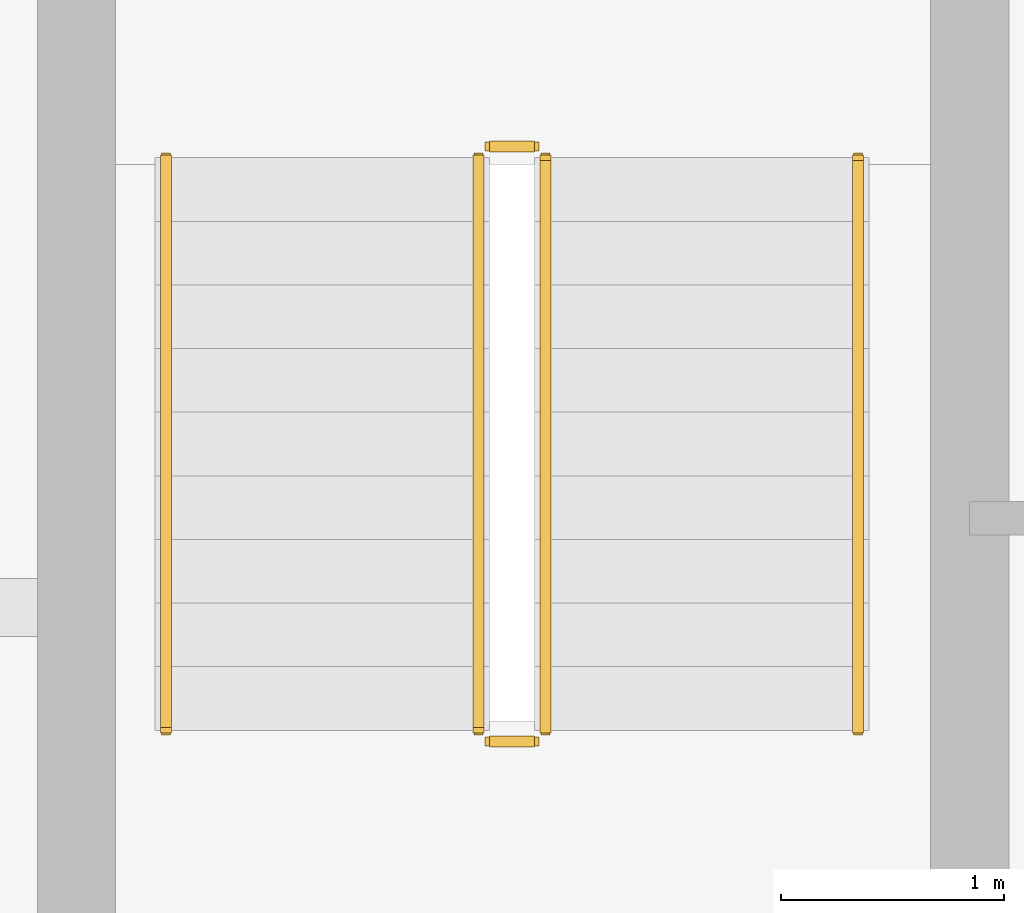
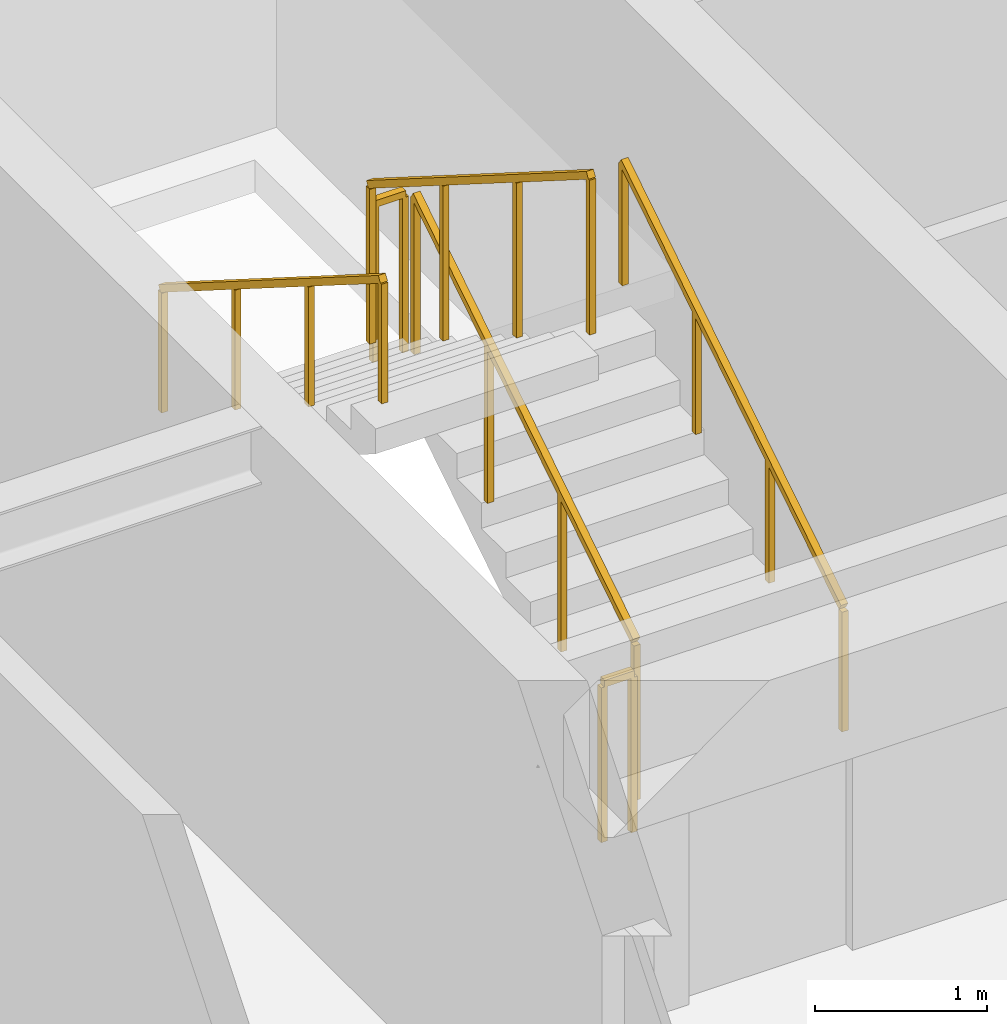
# One storey, part 20 of 22: 6 railings.
"""IFC4 building model written with IfcOpenShell, lengths in metres."""

from ifc_helpers import new_model, si_unit, direction, frame, origin, origin_2d, place, context, subcontext, project, spatial, rectangle, extrude, material, type_object, element, save


model = new_model("IFC4")

# Units and contexts
model_context = context("Model", 3, precision=1e-05, world=origin(), true_north=direction((0.0, 1.0)))
body_context = subcontext(model_context, "Body", "Model", "MODEL_VIEW")
ifc_project = project(units=[si_unit("LENGTHUNIT", "METRE"), si_unit("AREAUNIT", "SQUARE_METRE"), si_unit("VOLUMEUNIT", "CUBIC_METRE"), si_unit("PLANEANGLEUNIT", "RADIAN"), si_unit("MASSUNIT", "GRAM", prefix="KILO")], contexts=[model_context])

# Site, building, storey
site_placement = place(None, origin())
site = spatial("IfcSite", under=ifc_project, at=site_placement, CompositionType="ELEMENT")
building_placement = place(site_placement, origin())
building = spatial("IfcBuilding", under=site, at=building_placement, Name="Sarneth Arch Tower", CompositionType="ELEMENT")
storey_placement = place(building_placement, frame((0.0, 0.0, 287.39990234375)))
storey = spatial("IfcBuildingStorey", under=building, at=storey_placement, Name="L74", CompositionType="ELEMENT", Elevation=287.39990234375)

# Railings
ifc_material_1 = material(Name="Brushed Stainless Steel 304 tubular handrail", Category="steel")
railing_type_1 = type_object("IfcRailingType", Name="RAIL-HANDRAIL-900", PredefinedType="HANDRAIL", material=ifc_material_1)
railing_1_placement = place(storey_placement, frame((40.5, 41.449951171875, 0.18017578125)))
element("IfcRailing", 1, at=railing_1_placement, inside=storey, type_object=railing_type_1, Name="L74 ST-1 stair handrail 1", PredefinedType="HANDRAIL", context=body_context, shape_type="SweptSolid", body=[
    extrude(rectangle(XDim=0.048095703125, YDim=0.048095703125, at=origin_2d()), frame((0.0, 0.0, 0.8759765625), z_axis=(0.0, 0.845502289212, 0.533971796014), x_axis=(-1.0, 0.0, 0.0)), (0.0, 0.0, 1.0), 3.03369140625),
    extrude(rectangle(XDim=0.0419921875, YDim=0.0419921875, at=origin_2d()), origin(), (0.0, 0.0, 1.0), 0.851806640625),
    extrude(rectangle(XDim=0.0419921875, YDim=0.0419921875, at=origin_2d()), frame((0.0, 0.85498046875, 0.5400390625)), (0.0, 0.0, 1.0), 0.851806640625),
    extrude(rectangle(XDim=0.0419921875, YDim=0.0419921875, at=origin_2d()), frame((0.0, 1.7099609375, 1.079833984375)), (0.0, 0.0, 1.0), 0.851806640625),
    extrude(rectangle(XDim=0.0419921875, YDim=0.0419921875, at=origin_2d()), frame((0.0, 2.56494140625, 1.619873046875)), (0.0, 0.0, 1.0), 0.851806640625),
])
railing_2_placement = place(storey_placement, frame((37.39990234375, 44.014892578125, 1.97998046875)))
element("IfcRailing", 2, at=railing_2_placement, inside=storey, type_object=railing_type_1, Name="L74 ST-1 stair handrail 2", PredefinedType="HANDRAIL", context=body_context, shape_type="SweptSolid", body=[
    extrude(rectangle(XDim=0.048095703125, YDim=0.048095703125, at=origin_2d()), frame((0.0, 0.0, 0.8759765625), z_axis=(0.0, -0.845465955043, 0.534029323973), x_axis=(1.0, 0.0, 0.0)), (0.0, 0.0, 1.0), 3.03369140625),
    extrude(rectangle(XDim=0.0419921875, YDim=0.0419921875, at=origin_2d()), origin(), (0.0, 0.0, 1.0), 0.851806640625),
    extrude(rectangle(XDim=0.0419921875, YDim=0.0419921875, at=origin_2d()), frame((0.0, -0.85498046875, 0.5400390625)), (0.0, 0.0, 1.0), 0.851806640625),
    extrude(rectangle(XDim=0.0419921875, YDim=0.0419921875, at=origin_2d()), frame((0.0, -1.7099609375, 1.080078125)), (0.0, 0.0, 1.0), 0.851806640625),
    extrude(rectangle(XDim=0.0419921875, YDim=0.0419921875, at=origin_2d()), frame((0.0, -2.56494140625, 1.6201171875)), (0.0, 0.0, 1.0), 0.851806640625),
])
ifc_material_2 = material(Name="Painted Steel S275 stair well guard", Category="steel")
railing_type_2 = type_object("IfcRailingType", Name="RAIL-STAIR-GUARD", PredefinedType="GUARDRAIL", material=ifc_material_2)
railing_3_placement = place(storey_placement, frame((39.10009765625, 41.449951171875, 0.18017578125)))
element("IfcRailing", 3, at=railing_3_placement, inside=storey, type_object=railing_type_2, Name="L74 ST-1 stair guard 1", PredefinedType="GUARDRAIL", context=body_context, shape_type="SweptSolid", body=[
    extrude(rectangle(XDim=0.048095703125, YDim=0.048095703125, at=origin_2d()), frame((0.0, 0.0, 1.1259765625), z_axis=(0.0, 0.845502289212, 0.533971796014), x_axis=(-1.0, 0.0, 0.0)), (0.0, 0.0, 1.0), 3.03369140625),
    extrude(rectangle(XDim=0.0419921875, YDim=0.0419921875, at=origin_2d()), origin(), (0.0, 0.0, 1.0), 1.101806640625),
    extrude(rectangle(XDim=0.0419921875, YDim=0.0419921875, at=origin_2d()), frame((0.0, 0.85498046875, 0.5400390625)), (0.0, 0.0, 1.0), 1.101806640625),
    extrude(rectangle(XDim=0.0419921875, YDim=0.0419921875, at=origin_2d()), frame((0.0, 1.7099609375, 1.079833984375)), (0.0, 0.0, 1.0), 1.101806640625),
    extrude(rectangle(XDim=0.0419921875, YDim=0.0419921875, at=origin_2d()), frame((0.0, 2.56494140625, 1.619873046875)), (0.0, 0.0, 1.0), 1.101806640625),
])
railing_4_placement = place(storey_placement, frame((39.050048828125, 44.06494140625, 1.800048828125)))
element("IfcRailing", 4, at=railing_4_placement, inside=storey, type_object=railing_type_2, Name="L74 ST-1 stair guard 2", PredefinedType="GUARDRAIL", context=body_context, shape_type="SweptSolid", body=[
    extrude(rectangle(XDim=0.048095703125, YDim=0.048095703125, at=origin_2d()), frame((0.0, 0.0, 1.1259765625), z_axis=(-1.0, 0.0, 0.0), x_axis=(0.0, -1.0, 0.0)), (0.0, 0.0, 1.0), 0.199951171875),
    extrude(rectangle(XDim=0.0419921875, YDim=0.0419921875, at=origin_2d()), origin(), (0.0, 0.0, 1.0), 1.101806640625),
    extrude(rectangle(XDim=0.0419921875, YDim=0.0419921875, at=origin_2d()), frame((-0.199951171875, 0.0, 0.0)), (0.0, 0.0, 1.0), 1.101806640625),
])
railing_5_placement = place(storey_placement, frame((38.800048828125, 44.014892578125, 1.97998046875)))
element("IfcRailing", 5, at=railing_5_placement, inside=storey, type_object=railing_type_2, Name="L74 ST-1 stair guard 3", PredefinedType="GUARDRAIL", context=body_context, shape_type="SweptSolid", body=[
    extrude(rectangle(XDim=0.048095703125, YDim=0.048095703125, at=origin_2d()), frame((0.0, 0.0, 1.1259765625), z_axis=(0.0, -0.845465955043, 0.534029323973), x_axis=(1.0, 0.0, 0.0)), (0.0, 0.0, 1.0), 3.03369140625),
    extrude(rectangle(XDim=0.0419921875, YDim=0.0419921875, at=origin_2d()), origin(), (0.0, 0.0, 1.0), 1.101806640625),
    extrude(rectangle(XDim=0.0419921875, YDim=0.0419921875, at=origin_2d()), frame((0.0, -0.85498046875, 0.5400390625)), (0.0, 0.0, 1.0), 1.101806640625),
    extrude(rectangle(XDim=0.0419921875, YDim=0.0419921875, at=origin_2d()), frame((0.0, -1.7099609375, 1.080078125)), (0.0, 0.0, 1.0), 1.101806640625),
    extrude(rectangle(XDim=0.0419921875, YDim=0.0419921875, at=origin_2d()), frame((0.0, -2.56494140625, 1.6201171875)), (0.0, 0.0, 1.0), 1.101806640625),
])
railing_6_placement = place(storey_placement, frame((39.050048828125, 41.39990234375, 0.0)))
element("IfcRailing", 6, at=railing_6_placement, inside=storey, type_object=railing_type_2, Name="L74 ST-1 stair guard 4", PredefinedType="GUARDRAIL", context=body_context, shape_type="SweptSolid", body=[
    extrude(rectangle(XDim=0.048095703125, YDim=0.048095703125, at=origin_2d()), frame((0.0, 0.0, 1.1259765625), z_axis=(-1.0, 0.0, 0.0), x_axis=(0.0, -1.0, 0.0)), (0.0, 0.0, 1.0), 0.199951171875),
    extrude(rectangle(XDim=0.0419921875, YDim=0.0419921875, at=origin_2d()), origin(), (0.0, 0.0, 1.0), 1.101806640625),
    extrude(rectangle(XDim=0.0419921875, YDim=0.0419921875, at=origin_2d()), frame((-0.199951171875, 0.0, 0.0)), (0.0, 0.0, 1.0), 1.101806640625),
])

save(model, "model.ifc")
